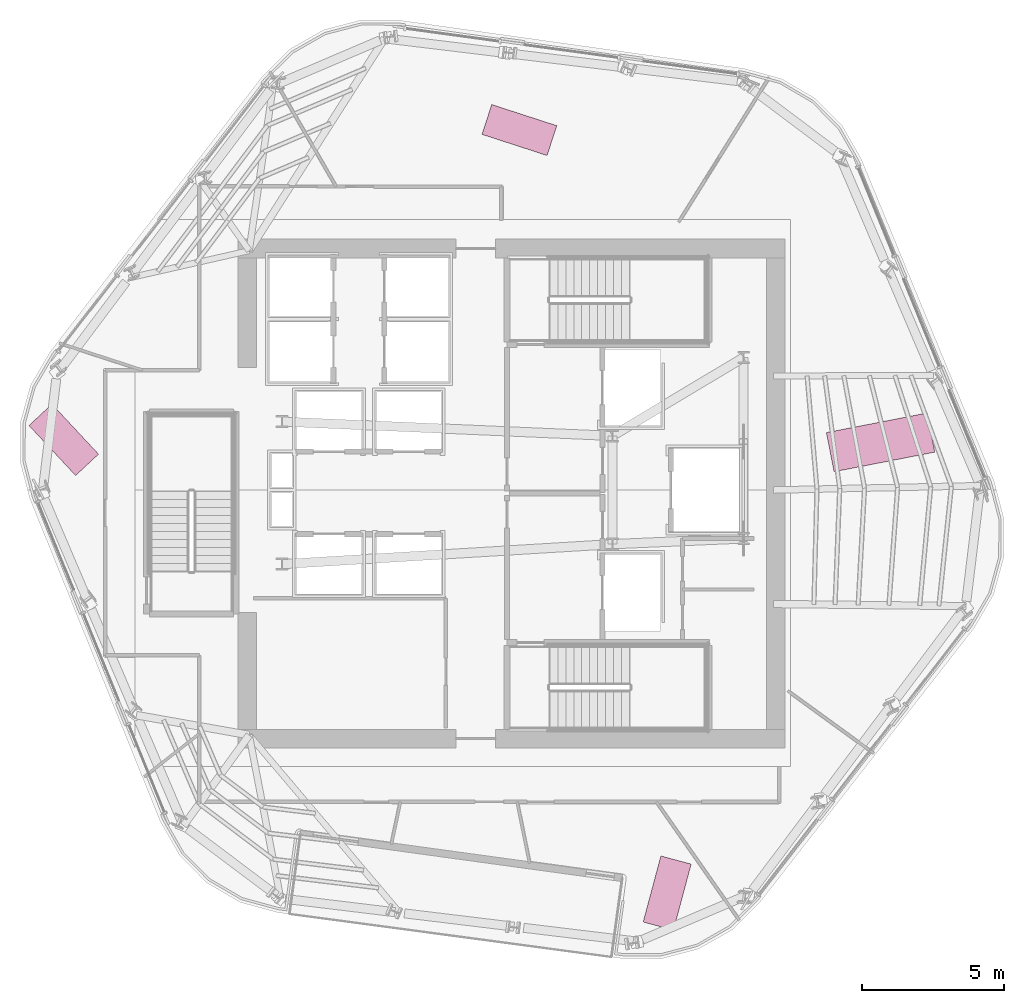
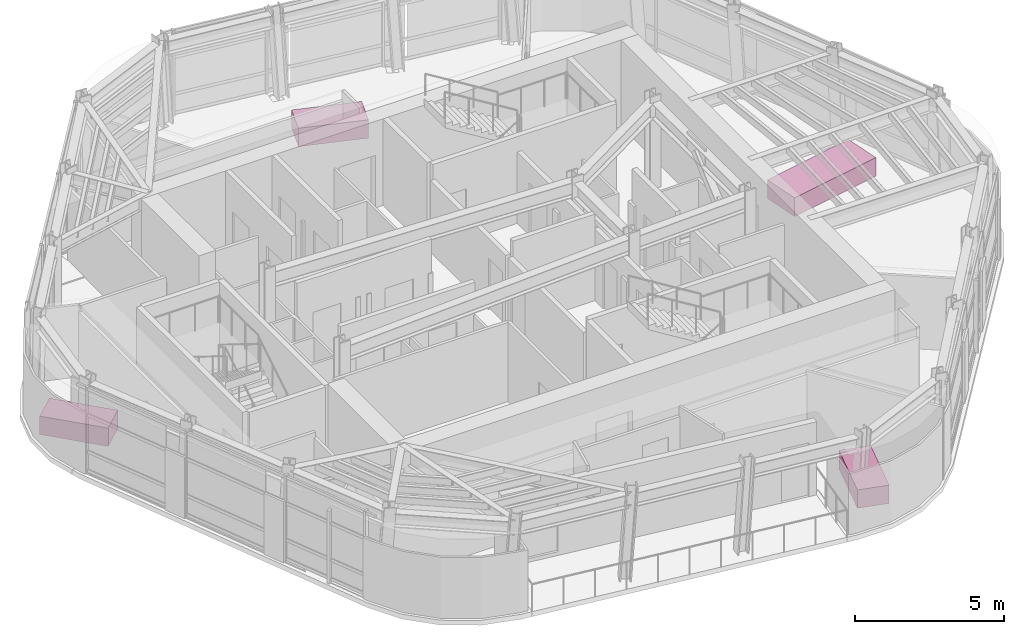
# One storey, part 12 of 12: 4 furniture elements.
"""IFC4 building model written with IfcOpenShell, lengths in metres."""

from ifc_helpers import new_model, si_unit, direction, frame, origin, origin_2d, place, context, subcontext, project, spatial, rectangle, extrude, material, type_object, element, save


model = new_model("IFC4")

# Units and contexts
model_context = context("Model", 3, precision=1e-05, world=origin(), true_north=direction((0.0, 1.0)))
body_context = subcontext(model_context, "Body", "Model", "MODEL_VIEW")
ifc_project = project(units=[si_unit("LENGTHUNIT", "METRE"), si_unit("AREAUNIT", "SQUARE_METRE"), si_unit("VOLUMEUNIT", "CUBIC_METRE"), si_unit("PLANEANGLEUNIT", "RADIAN"), si_unit("MASSUNIT", "GRAM", prefix="KILO")], contexts=[model_context])

# Site, building, storey
site_placement = place(None, origin())
site = spatial("IfcSite", under=ifc_project, at=site_placement, CompositionType="ELEMENT")
building_placement = place(site_placement, origin())
building = spatial("IfcBuilding", under=site, at=building_placement, Name="Valkerne Bourse Tower", CompositionType="ELEMENT")
storey_placement = place(building_placement, frame((0.0, 0.0, 247.39990234375)))
storey = spatial("IfcBuildingStorey", under=building, at=storey_placement, Name="L63", CompositionType="ELEMENT", Elevation=247.39990234375)

# Furniture
ifc_material = material(Name="Architectural White Oak Timber", Category="wood")
furniture_type_1 = type_object("IfcFurnitureType", Name="FURN-CONF-3600", AssemblyPlace="NOTDEFINED", PredefinedType="TABLE", material=ifc_material)
furniture_placement = place(storey_placement, frame((59.757080078125, 28.672119140625, 0.044921875), z_axis=(0.0, 0.0, 1.0), x_axis=(0.981627183448, 0.190808995377, 0.0)))
element("IfcFurniture", 1, at=furniture_placement, inside=storey, type_object=furniture_type_1, Name="L63 Suite Worktable 10", PredefinedType="TABLE", context=body_context, shape_type="SweptSolid", body=[
    extrude(rectangle(XDim=3.60009765625, YDim=1.39990234375, at=origin_2d()), origin(), (0.0, 0.0, 1.0), 0.760009765625),
])
furniture_type_2 = type_object("IfcFurnitureType", Name="FURN-DESK-2400", AssemblyPlace="NOTDEFINED", PredefinedType="DESK", material=ifc_material)
for number, where, z_axis, x_axis, name in (
    (2, (52.26806640625, 12.85693359375, 0.045166015625), (0.0, 0.0, 1.0), (0.258819045103, 0.965925826289, 0.0), "L63 Suite Worktable 06"),
    (3, (31.093994140625, 28.760986328125, 0.045166015625), (0.0, 0.0, 1.0), (-0.681998360062, 0.731353701619, 0.0), "L63 Suite Worktable 08"),
    (4, (47.0830078125, 39.632080078125, 0.045166015625), (0.0, 0.0, 1.0), (-0.951056516295, 0.309016994375, 0.0), "L63 Suite Worktable 09"),
):
    element("IfcFurniture", number, at=place(storey_placement, frame(where, z_axis=z_axis, x_axis=x_axis)), inside=storey, type_object=furniture_type_2, Name=name, PredefinedType="DESK", context=body_context, shape_type="SweptSolid", body=[
        extrude(rectangle(XDim=2.39990234375, YDim=1.10009765625, at=origin_2d()), origin(), (0.0, 0.0, 1.0), 0.75),
    ])

save(model, "model.ifc")
